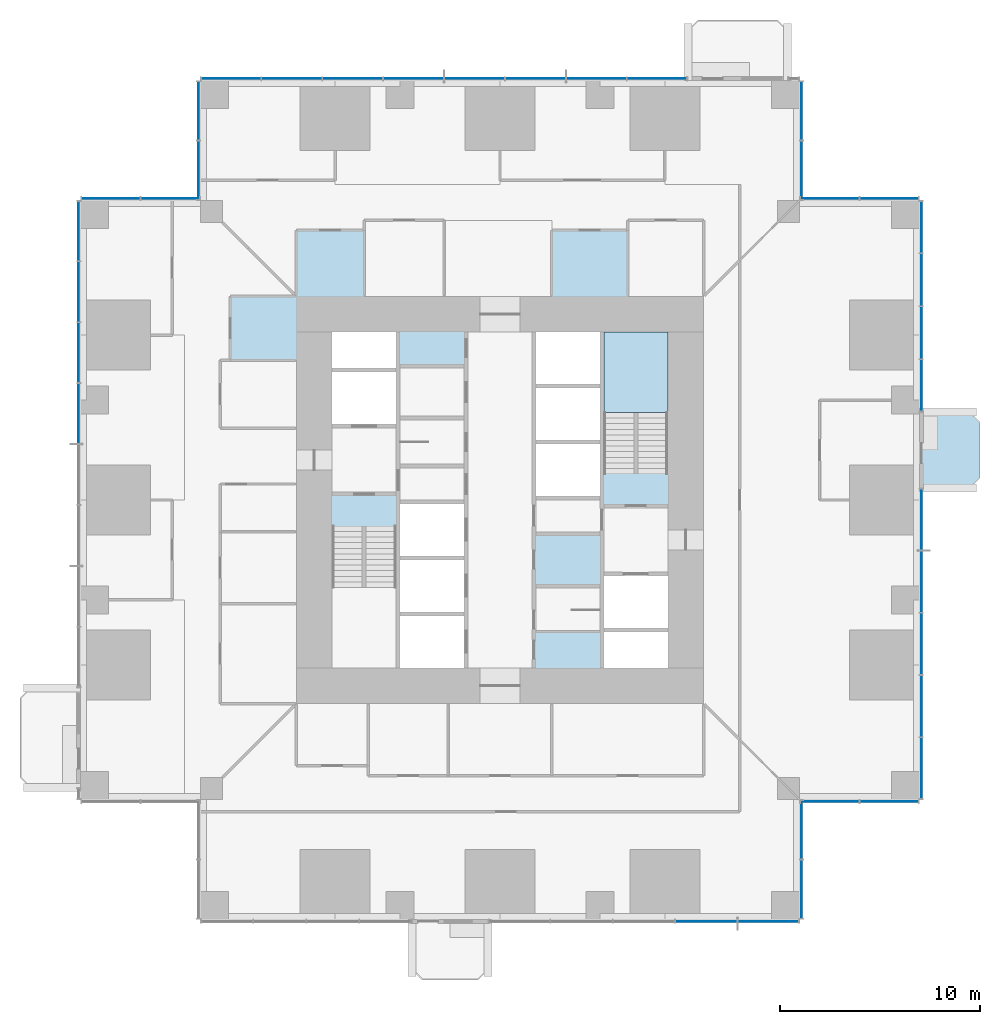
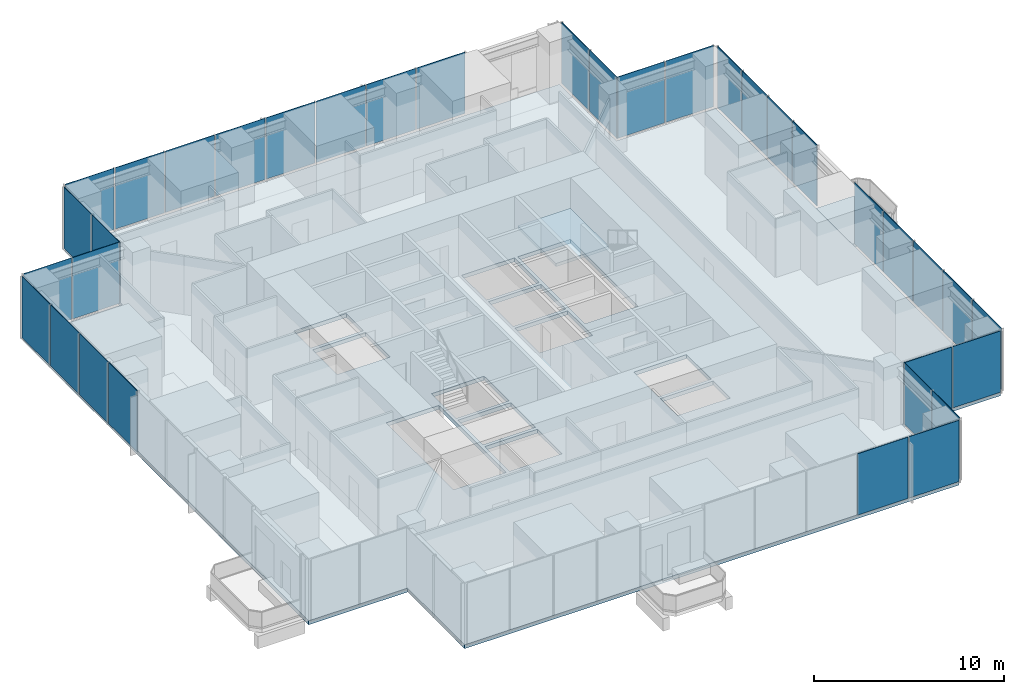
# One storey, part 9 of 17: 35 plates, 3 slabs, 12 elements without a shape of their own.
"""IFC4 building model written with IfcOpenShell, lengths in metres."""

from ifc_helpers import new_model, si_unit, direction, frame, origin, origin_2d, place, context, subcontext, project, spatial, polyline, rectangle, outline, extrude, material, layer, layer_set, type_object, element, aggregate, save


model = new_model("IFC4")

# Units and contexts
model_context = context("Model", 3, precision=1e-05, world=origin(), true_north=direction((0.0, 1.0)))
body_context = subcontext(model_context, "Body", "Model", "MODEL_VIEW")
ifc_project = project(units=[si_unit("LENGTHUNIT", "METRE"), si_unit("AREAUNIT", "SQUARE_METRE"), si_unit("VOLUMEUNIT", "CUBIC_METRE"), si_unit("PLANEANGLEUNIT", "RADIAN"), si_unit("MASSUNIT", "GRAM", prefix="KILO")], contexts=[model_context])

# Site, building, storey
site_placement = place(None, origin())
site = spatial("IfcSite", under=ifc_project, at=site_placement, CompositionType="ELEMENT")
building_placement = place(site_placement, origin())
building = spatial("IfcBuilding", under=site, at=building_placement, Name="Svetlomir Tower", CompositionType="ELEMENT")
storey_placement = place(building_placement, frame((0.0, 0.0, 38.5)))
storey = spatial("IfcBuildingStorey", under=building, at=storey_placement, Name="L08", CompositionType="ELEMENT", Elevation=38.5)

# Slab
ifc_material_1 = material(Name="Concrete C60/75", Category="concrete")
ifc_layer_1 = layer(ifc_material_1, 0.25)
ifc_layer_set_1 = layer_set([ifc_layer_1], Name="Concrete C60/75")
slab_type_1 = type_object("IfcSlabType", Name="BALCONY SLAB 250", PredefinedType="FLOOR", material=ifc_layer_set_1)
slab_1_placement = place(storey_placement, frame((0.0, 0.0, -0.25)))
element("IfcSlab", 1, at=slab_1_placement, inside=storey, type_object=slab_type_1, Name="L08 E planted balcony", PredefinedType="FLOOR", context=body_context, shape_type="SweptSolid", body=[
    extrude(outline(polyline([(42.0, 21.60009765625), (44.5, 21.60009765625), (45.0, 22.10009765625), (45.0, 24.89990234375), (44.5, 25.39990234375), (42.0, 25.39990234375), (42.0, 21.60009765625)])), origin(), (0.0, 0.0, 1.0), 0.25),
])

# Curtain wall, plates
ifc_material_2 = material(Name="Bronze anodised aluminium curtain wall", Category="aluminium")
curtain_wall_type = type_object("IfcCurtainWallType", Name="CURTAIN WALL CW1 TOWER OFFICE", PredefinedType="NOTDEFINED", material=ifc_material_2)
curtain_wall_1_placement = place(storey_placement, origin())
curtain_wall_1 = element("IfcCurtainWall", 2, at=curtain_wall_1_placement, inside=storey, type_object=curtain_wall_type, Name="Curtain wall CW1 L08", PredefinedType="NOTDEFINED")
ifc_material_3 = material(Name="Tinted double glazed unit", Category="glass")
ifc_layer_2 = layer(ifc_material_3, 0.031982421875)
ifc_layer_set_2 = layer_set([ifc_layer_2], Name="Tinted double glazed unit")
plate_type = type_object("IfcPlateType", Name="CW1 GLAZED PANEL 32", PredefinedType="CURTAIN_PANEL", material=ifc_layer_set_2)
plate_1_placement = place(storey_placement, frame((31.320068359375, -0.10009765625, 0.06494140625), z_axis=(0.0, 0.0, 1.0), x_axis=(1.0, 0.0, 0.0)))
plate_1 = element("IfcPlate", 3, at=plate_1_placement, type_object=plate_type, Name="CW1 panel 4.1", PredefinedType="CURTAIN_PANEL", context=body_context, shape_type="SweptSolid", body=[
    extrude(rectangle(XDim=3.054931640625, YDim=0.031982421875, at=origin_2d()), origin(), (0.0, 0.0, 1.0), 3.93505859375),
])
plate_2_placement = place(storey_placement, frame((34.423828125, -0.10009765625, 0.06494140625), z_axis=(0.0, 0.0, 1.0), x_axis=(1.0, 0.0, 0.0)))
plate_2 = element("IfcPlate", 4, at=plate_2_placement, type_object=plate_type, Name="CW1 panel 5.1", PredefinedType="CURTAIN_PANEL", context=body_context, shape_type="SweptSolid", body=[
    extrude(rectangle(XDim=3.0224609375, YDim=0.031982421875, at=origin_2d()), origin(), (0.0, 0.0, 1.0), 3.93505859375),
])
aggregate(curtain_wall_1, [plate_1, plate_2])

curtain_wall_2_placement = place(storey_placement, origin())
curtain_wall_2 = element("IfcCurtainWall", 5, at=curtain_wall_2_placement, inside=storey, type_object=curtain_wall_type, Name="Curtain wall CW1 L08", PredefinedType="NOTDEFINED")
plate_3_placement = place(storey_placement, frame((36.10009765625, 1.516357421875, 0.06494140625), z_axis=(0.0, 0.0, 1.0), x_axis=(0.0, 1.0, 0.0)))
plate_3 = element("IfcPlate", 6, at=plate_3_placement, type_object=plate_type, Name="CW1 panel 1.1", PredefinedType="CURTAIN_PANEL", context=body_context, shape_type="SweptSolid", body=[
    extrude(rectangle(XDim=2.902587890625, YDim=0.031982421875, at=origin_2d()), origin(), (0.0, 0.0, 1.0), 3.93505859375),
])
plate_4_placement = place(storey_placement, frame((36.10009765625, 4.483642578125, 0.06494140625), z_axis=(0.0, 0.0, 1.0), x_axis=(0.0, 1.0, 0.0)))
plate_4 = element("IfcPlate", 7, at=plate_4_placement, type_object=plate_type, Name="CW1 panel 2.1", PredefinedType="CURTAIN_PANEL", context=body_context, shape_type="SweptSolid", body=[
    extrude(rectangle(XDim=2.902587890625, YDim=0.031982421875, at=origin_2d()), origin(), (0.0, 0.0, 1.0), 3.93505859375),
])
aggregate(curtain_wall_2, [plate_3, plate_4])

curtain_wall_3_placement = place(storey_placement, origin())
curtain_wall_3 = element("IfcCurtainWall", 8, at=curtain_wall_3_placement, inside=storey, type_object=curtain_wall_type, Name="Curtain wall CW1 L08", PredefinedType="NOTDEFINED")
plate_5_placement = place(storey_placement, frame((37.516357421875, 5.89990234375, 0.06494140625), z_axis=(0.0, 0.0, 1.0), x_axis=(1.0, 0.0, 0.0)))
plate_5 = element("IfcPlate", 9, at=plate_5_placement, type_object=plate_type, Name="CW1 panel 1.1", PredefinedType="CURTAIN_PANEL", context=body_context, shape_type="SweptSolid", body=[
    extrude(rectangle(XDim=2.902587890625, YDim=0.031982421875, at=origin_2d()), origin(), (0.0, 0.0, 1.0), 3.93505859375),
])
plate_6_placement = place(storey_placement, frame((40.483642578125, 5.89990234375, 0.06494140625), z_axis=(0.0, 0.0, 1.0), x_axis=(1.0, 0.0, 0.0)))
plate_6 = element("IfcPlate", 10, at=plate_6_placement, type_object=plate_type, Name="CW1 panel 2.1", PredefinedType="CURTAIN_PANEL", context=body_context, shape_type="SweptSolid", body=[
    extrude(rectangle(XDim=2.902587890625, YDim=0.031982421875, at=origin_2d()), origin(), (0.0, 0.0, 1.0), 3.93505859375),
])
aggregate(curtain_wall_3, [plate_5, plate_6])

curtain_wall_4_placement = place(storey_placement, origin())
curtain_wall_4 = element("IfcCurtainWall", 11, at=curtain_wall_4_placement, inside=storey, type_object=curtain_wall_type, Name="Curtain wall CW1 L08", PredefinedType="NOTDEFINED")
plate_7_placement = place(storey_placement, frame((42.10009765625, 7.576171875, 0.06494140625), z_axis=(0.0, 0.0, 1.0), x_axis=(0.0, 1.0, 0.0)))
plate_7 = element("IfcPlate", 12, at=plate_7_placement, type_object=plate_type, Name="CW1 panel 1.1", PredefinedType="CURTAIN_PANEL", context=body_context, shape_type="SweptSolid", body=[
    extrude(rectangle(XDim=3.0224609375, YDim=0.031982421875, at=origin_2d()), origin(), (0.0, 0.0, 1.0), 3.93505859375),
])
plate_8_placement = place(storey_placement, frame((42.10009765625, 10.679931640625, 0.06494140625), z_axis=(0.0, 0.0, 1.0), x_axis=(0.0, 1.0, 0.0)))
plate_8 = element("IfcPlate", 13, at=plate_8_placement, type_object=plate_type, Name="CW1 panel 2.1", PredefinedType="CURTAIN_PANEL", context=body_context, shape_type="SweptSolid", body=[
    extrude(rectangle(XDim=3.054931640625, YDim=0.031982421875, at=origin_2d()), origin(), (0.0, 0.0, 1.0), 3.93505859375),
])
plate_9_placement = place(storey_placement, frame((42.10009765625, 13.800048828125, 0.06494140625), z_axis=(0.0, 0.0, 1.0), x_axis=(0.0, 1.0, 0.0)))
plate_9 = element("IfcPlate", 14, at=plate_9_placement, type_object=plate_type, Name="CW1 panel 3.1", PredefinedType="CURTAIN_PANEL", context=body_context, shape_type="SweptSolid", body=[
    extrude(rectangle(XDim=3.054931640625, YDim=0.031982421875, at=origin_2d()), origin(), (0.0, 0.0, 1.0), 3.93505859375),
])
plate_10_placement = place(storey_placement, frame((42.10009765625, 16.919921875, 0.06494140625), z_axis=(0.0, 0.0, 1.0), x_axis=(0.0, 1.0, 0.0)))
plate_10 = element("IfcPlate", 15, at=plate_10_placement, type_object=plate_type, Name="CW1 panel 4.1", PredefinedType="CURTAIN_PANEL", context=body_context, shape_type="SweptSolid", body=[
    extrude(rectangle(XDim=3.054931640625, YDim=0.031982421875, at=origin_2d()), origin(), (0.0, 0.0, 1.0), 3.93505859375),
])
plate_11_placement = place(storey_placement, frame((42.10009765625, 20.023681640625, 0.06494140625), z_axis=(0.0, 0.0, 1.0), x_axis=(0.0, 1.0, 0.0)))
plate_11 = element("IfcPlate", 16, at=plate_11_placement, type_object=plate_type, Name="CW1 panel 5.1", PredefinedType="CURTAIN_PANEL", context=body_context, shape_type="SweptSolid", body=[
    extrude(rectangle(XDim=3.0224609375, YDim=0.031982421875, at=origin_2d()), origin(), (0.0, 0.0, 1.0), 3.93505859375),
])
aggregate(curtain_wall_4, [plate_7, plate_8, plate_9, plate_10, plate_11])

curtain_wall_5_placement = place(storey_placement, origin())
curtain_wall_5 = element("IfcCurtainWall", 17, at=curtain_wall_5_placement, inside=storey, type_object=curtain_wall_type, Name="Curtain wall CW1 L08", PredefinedType="NOTDEFINED")
plate_12_placement = place(storey_placement, frame((42.10009765625, 26.7412109375, 0.06494140625), z_axis=(0.0, 0.0, 1.0), x_axis=(0.0, 1.0, 0.0)))
plate_12 = element("IfcPlate", 18, at=plate_12_placement, type_object=plate_type, Name="CW1 panel 1.1", PredefinedType="CURTAIN_PANEL", context=body_context, shape_type="SweptSolid", body=[
    extrude(rectangle(XDim=2.552490234375, YDim=0.031982421875, at=origin_2d()), origin(), (0.0, 0.0, 1.0), 3.93505859375),
])
plate_13_placement = place(storey_placement, frame((42.10009765625, 29.375, 0.06494140625), z_axis=(0.0, 0.0, 1.0), x_axis=(0.0, 1.0, 0.0)))
plate_13 = element("IfcPlate", 19, at=plate_13_placement, type_object=plate_type, Name="CW1 panel 2.1", PredefinedType="CURTAIN_PANEL", context=body_context, shape_type="SweptSolid", body=[
    extrude(rectangle(XDim=2.5849609375, YDim=0.031982421875, at=origin_2d()), origin(), (0.0, 0.0, 1.0), 3.93505859375),
])
plate_14_placement = place(storey_placement, frame((42.10009765625, 32.02490234375, 0.06494140625), z_axis=(0.0, 0.0, 1.0), x_axis=(0.0, 1.0, 0.0)))
plate_14 = element("IfcPlate", 20, at=plate_14_placement, type_object=plate_type, Name="CW1 panel 3.1", PredefinedType="CURTAIN_PANEL", context=body_context, shape_type="SweptSolid", body=[
    extrude(rectangle(XDim=2.5849609375, YDim=0.031982421875, at=origin_2d()), origin(), (0.0, 0.0, 1.0), 3.93505859375),
])
plate_15_placement = place(storey_placement, frame((42.10009765625, 34.65869140625, 0.06494140625), z_axis=(0.0, 0.0, 1.0), x_axis=(0.0, 1.0, 0.0)))
plate_15 = element("IfcPlate", 21, at=plate_15_placement, type_object=plate_type, Name="CW1 panel 4.1", PredefinedType="CURTAIN_PANEL", context=body_context, shape_type="SweptSolid", body=[
    extrude(rectangle(XDim=2.552490234375, YDim=0.031982421875, at=origin_2d()), origin(), (0.0, 0.0, 1.0), 3.93505859375),
])
aggregate(curtain_wall_5, [plate_12, plate_13, plate_14, plate_15])

curtain_wall_6_placement = place(storey_placement, origin())
curtain_wall_6 = element("IfcCurtainWall", 22, at=curtain_wall_6_placement, inside=storey, type_object=curtain_wall_type, Name="Curtain wall CW1 L08", PredefinedType="NOTDEFINED")
plate_16_placement = place(storey_placement, frame((40.483642578125, 36.10009765625, 0.06494140625), z_axis=(0.0, 0.0, 1.0), x_axis=(-1.0, 0.0, 0.0)))
plate_16 = element("IfcPlate", 23, at=plate_16_placement, type_object=plate_type, Name="CW1 panel 1.1", PredefinedType="CURTAIN_PANEL", context=body_context, shape_type="SweptSolid", body=[
    extrude(rectangle(XDim=2.902587890625, YDim=0.031982421875, at=origin_2d()), origin(), (0.0, 0.0, 1.0), 3.93505859375),
])
plate_17_placement = place(storey_placement, frame((37.516357421875, 36.10009765625, 0.06494140625), z_axis=(0.0, 0.0, 1.0), x_axis=(-1.0, 0.0, 0.0)))
plate_17 = element("IfcPlate", 24, at=plate_17_placement, type_object=plate_type, Name="CW1 panel 2.1", PredefinedType="CURTAIN_PANEL", context=body_context, shape_type="SweptSolid", body=[
    extrude(rectangle(XDim=2.902587890625, YDim=0.031982421875, at=origin_2d()), origin(), (0.0, 0.0, 1.0), 3.93505859375),
])
aggregate(curtain_wall_6, [plate_16, plate_17])

curtain_wall_7_placement = place(storey_placement, origin())
curtain_wall_7 = element("IfcCurtainWall", 25, at=curtain_wall_7_placement, inside=storey, type_object=curtain_wall_type, Name="Curtain wall CW1 L08", PredefinedType="NOTDEFINED")
plate_18_placement = place(storey_placement, frame((36.10009765625, 37.516357421875, 0.06494140625), z_axis=(0.0, 0.0, 1.0), x_axis=(0.0, 1.0, 0.0)))
plate_18 = element("IfcPlate", 26, at=plate_18_placement, type_object=plate_type, Name="CW1 panel 1.1", PredefinedType="CURTAIN_PANEL", context=body_context, shape_type="SweptSolid", body=[
    extrude(rectangle(XDim=2.902587890625, YDim=0.031982421875, at=origin_2d()), origin(), (0.0, 0.0, 1.0), 3.93505859375),
])
plate_19_placement = place(storey_placement, frame((36.10009765625, 40.483642578125, 0.06494140625), z_axis=(0.0, 0.0, 1.0), x_axis=(0.0, 1.0, 0.0)))
plate_19 = element("IfcPlate", 27, at=plate_19_placement, type_object=plate_type, Name="CW1 panel 2.1", PredefinedType="CURTAIN_PANEL", context=body_context, shape_type="SweptSolid", body=[
    extrude(rectangle(XDim=2.902587890625, YDim=0.031982421875, at=origin_2d()), origin(), (0.0, 0.0, 1.0), 3.93505859375),
])
aggregate(curtain_wall_7, [plate_18, plate_19])

curtain_wall_8_placement = place(storey_placement, origin())
curtain_wall_8 = element("IfcCurtainWall", 28, at=curtain_wall_8_placement, inside=storey, type_object=curtain_wall_type, Name="Curtain wall CW1 L08", PredefinedType="NOTDEFINED")
plate_20_placement = place(storey_placement, frame((28.858642578125, 42.10009765625, 0.06494140625), z_axis=(0.0, 0.0, 1.0), x_axis=(-1.0, 0.0, 0.0)))
plate_20 = element("IfcPlate", 29, at=plate_20_placement, type_object=plate_type, Name="CW1 panel 1.1", PredefinedType="CURTAIN_PANEL", context=body_context, shape_type="SweptSolid", body=[
    extrude(rectangle(XDim=2.952392578125, YDim=0.031982421875, at=origin_2d()), origin(), (0.0, 0.0, 1.0), 3.93505859375),
])
plate_21_placement = place(storey_placement, frame((25.824951171875, 42.10009765625, 0.06494140625), z_axis=(0.0, 0.0, 1.0), x_axis=(-1.0, 0.0, 0.0)))
plate_21 = element("IfcPlate", 30, at=plate_21_placement, type_object=plate_type, Name="CW1 panel 2.1", PredefinedType="CURTAIN_PANEL", context=body_context, shape_type="SweptSolid", body=[
    extrude(rectangle(XDim=2.985107421875, YDim=0.031982421875, at=origin_2d()), origin(), (0.0, 0.0, 1.0), 3.93505859375),
])
plate_22_placement = place(storey_placement, frame((22.77490234375, 42.10009765625, 0.06494140625), z_axis=(0.0, 0.0, 1.0), x_axis=(-1.0, 0.0, 0.0)))
plate_22 = element("IfcPlate", 31, at=plate_22_placement, type_object=plate_type, Name="CW1 panel 3.1", PredefinedType="CURTAIN_PANEL", context=body_context, shape_type="SweptSolid", body=[
    extrude(rectangle(XDim=2.985107421875, YDim=0.031982421875, at=origin_2d()), origin(), (0.0, 0.0, 1.0), 3.93505859375),
])
plate_23_placement = place(storey_placement, frame((19.72509765625, 42.10009765625, 0.06494140625), z_axis=(0.0, 0.0, 1.0), x_axis=(-1.0, 0.0, 0.0)))
plate_23 = element("IfcPlate", 32, at=plate_23_placement, type_object=plate_type, Name="CW1 panel 4.1", PredefinedType="CURTAIN_PANEL", context=body_context, shape_type="SweptSolid", body=[
    extrude(rectangle(XDim=2.985107421875, YDim=0.031982421875, at=origin_2d()), origin(), (0.0, 0.0, 1.0), 3.93505859375),
])
plate_24_placement = place(storey_placement, frame((16.675048828125, 42.10009765625, 0.06494140625), z_axis=(0.0, 0.0, 1.0), x_axis=(-1.0, 0.0, 0.0)))
plate_24 = element("IfcPlate", 33, at=plate_24_placement, type_object=plate_type, Name="CW1 panel 5.1", PredefinedType="CURTAIN_PANEL", context=body_context, shape_type="SweptSolid", body=[
    extrude(rectangle(XDim=2.985107421875, YDim=0.031982421875, at=origin_2d()), origin(), (0.0, 0.0, 1.0), 3.93505859375),
])
plate_25_placement = place(storey_placement, frame((13.625, 42.10009765625, 0.06494140625), z_axis=(0.0, 0.0, 1.0), x_axis=(-1.0, 0.0, 0.0)))
plate_25 = element("IfcPlate", 34, at=plate_25_placement, type_object=plate_type, Name="CW1 panel 6.1", PredefinedType="CURTAIN_PANEL", context=body_context, shape_type="SweptSolid", body=[
    extrude(rectangle(XDim=2.985107421875, YDim=0.031982421875, at=origin_2d()), origin(), (0.0, 0.0, 1.0), 3.93505859375),
])
plate_26_placement = place(storey_placement, frame((10.574951171875, 42.10009765625, 0.06494140625), z_axis=(0.0, 0.0, 1.0), x_axis=(-1.0, 0.0, 0.0)))
plate_26 = element("IfcPlate", 35, at=plate_26_placement, type_object=plate_type, Name="CW1 panel 7.1", PredefinedType="CURTAIN_PANEL", context=body_context, shape_type="SweptSolid", body=[
    extrude(rectangle(XDim=2.985107421875, YDim=0.031982421875, at=origin_2d()), origin(), (0.0, 0.0, 1.0), 3.93505859375),
])
plate_27_placement = place(storey_placement, frame((7.541259765625, 42.10009765625, 0.06494140625), z_axis=(0.0, 0.0, 1.0), x_axis=(-1.0, 0.0, 0.0)))
plate_27 = element("IfcPlate", 36, at=plate_27_placement, type_object=plate_type, Name="CW1 panel 8.1", PredefinedType="CURTAIN_PANEL", context=body_context, shape_type="SweptSolid", body=[
    extrude(rectangle(XDim=2.952392578125, YDim=0.031982421875, at=origin_2d()), origin(), (0.0, 0.0, 1.0), 3.93505859375),
])
aggregate(curtain_wall_8, [plate_20, plate_21, plate_22, plate_23, plate_24, plate_25, plate_26, plate_27])

curtain_wall_9_placement = place(storey_placement, origin())
curtain_wall_9 = element("IfcCurtainWall", 37, at=curtain_wall_9_placement, inside=storey, type_object=curtain_wall_type, Name="Curtain wall CW1 L08", PredefinedType="NOTDEFINED")
plate_28_placement = place(storey_placement, frame((5.89990234375, 40.483642578125, 0.06494140625), z_axis=(0.0, 0.0, 1.0), x_axis=(0.0, -1.0, 0.0)))
plate_28 = element("IfcPlate", 38, at=plate_28_placement, type_object=plate_type, Name="CW1 panel 1.1", PredefinedType="CURTAIN_PANEL", context=body_context, shape_type="SweptSolid", body=[
    extrude(rectangle(XDim=2.902587890625, YDim=0.031982421875, at=origin_2d()), origin(), (0.0, 0.0, 1.0), 3.93505859375),
])
plate_29_placement = place(storey_placement, frame((5.89990234375, 37.516357421875, 0.06494140625), z_axis=(0.0, 0.0, 1.0), x_axis=(0.0, -1.0, 0.0)))
plate_29 = element("IfcPlate", 39, at=plate_29_placement, type_object=plate_type, Name="CW1 panel 2.1", PredefinedType="CURTAIN_PANEL", context=body_context, shape_type="SweptSolid", body=[
    extrude(rectangle(XDim=2.902587890625, YDim=0.031982421875, at=origin_2d()), origin(), (0.0, 0.0, 1.0), 3.93505859375),
])
aggregate(curtain_wall_9, [plate_28, plate_29])

curtain_wall_10_placement = place(storey_placement, origin())
curtain_wall_10 = element("IfcCurtainWall", 40, at=curtain_wall_10_placement, inside=storey, type_object=curtain_wall_type, Name="Curtain wall CW1 L08", PredefinedType="NOTDEFINED")
plate_30_placement = place(storey_placement, frame((4.483642578125, 36.10009765625, 0.06494140625), z_axis=(0.0, 0.0, 1.0), x_axis=(-1.0, 0.0, 0.0)))
plate_30 = element("IfcPlate", 41, at=plate_30_placement, type_object=plate_type, Name="CW1 panel 1.1", PredefinedType="CURTAIN_PANEL", context=body_context, shape_type="SweptSolid", body=[
    extrude(rectangle(XDim=2.902587890625, YDim=0.031982421875, at=origin_2d()), origin(), (0.0, 0.0, 1.0), 3.93505859375),
])
plate_31_placement = place(storey_placement, frame((1.516357421875, 36.10009765625, 0.06494140625), z_axis=(0.0, 0.0, 1.0), x_axis=(-1.0, 0.0, 0.0)))
plate_31 = element("IfcPlate", 42, at=plate_31_placement, type_object=plate_type, Name="CW1 panel 2.1", PredefinedType="CURTAIN_PANEL", context=body_context, shape_type="SweptSolid", body=[
    extrude(rectangle(XDim=2.902587890625, YDim=0.031982421875, at=origin_2d()), origin(), (0.0, 0.0, 1.0), 3.93505859375),
])
aggregate(curtain_wall_10, [plate_30, plate_31])

curtain_wall_11_placement = place(storey_placement, origin())
curtain_wall_11 = element("IfcCurtainWall", 43, at=curtain_wall_11_placement, inside=storey, type_object=curtain_wall_type, Name="Curtain wall CW1 L08", PredefinedType="NOTDEFINED")
plate_32_placement = place(storey_placement, frame((-0.10009765625, 34.458740234375, 0.06494140625), z_axis=(0.0, 0.0, 1.0), x_axis=(0.0, -1.0, 0.0)))
plate_32 = element("IfcPlate", 44, at=plate_32_placement, type_object=plate_type, Name="CW1 panel 1.1", PredefinedType="CURTAIN_PANEL", context=body_context, shape_type="SweptSolid", body=[
    extrude(rectangle(XDim=2.952392578125, YDim=0.031982421875, at=origin_2d()), origin(), (0.0, 0.0, 1.0), 3.93505859375),
])
plate_33_placement = place(storey_placement, frame((-0.10009765625, 31.425048828125, 0.06494140625), z_axis=(0.0, 0.0, 1.0), x_axis=(0.0, -1.0, 0.0)))
plate_33 = element("IfcPlate", 45, at=plate_33_placement, type_object=plate_type, Name="CW1 panel 2.1", PredefinedType="CURTAIN_PANEL", context=body_context, shape_type="SweptSolid", body=[
    extrude(rectangle(XDim=2.985107421875, YDim=0.031982421875, at=origin_2d()), origin(), (0.0, 0.0, 1.0), 3.93505859375),
])
plate_34_placement = place(storey_placement, frame((-0.10009765625, 28.375, 0.06494140625), z_axis=(0.0, 0.0, 1.0), x_axis=(0.0, -1.0, 0.0)))
plate_34 = element("IfcPlate", 46, at=plate_34_placement, type_object=plate_type, Name="CW1 panel 3.1", PredefinedType="CURTAIN_PANEL", context=body_context, shape_type="SweptSolid", body=[
    extrude(rectangle(XDim=2.985107421875, YDim=0.031982421875, at=origin_2d()), origin(), (0.0, 0.0, 1.0), 3.93505859375),
])
plate_35_placement = place(storey_placement, frame((-0.10009765625, 25.324951171875, 0.06494140625), z_axis=(0.0, 0.0, 1.0), x_axis=(0.0, -1.0, 0.0)))
plate_35 = element("IfcPlate", 47, at=plate_35_placement, type_object=plate_type, Name="CW1 panel 4.1", PredefinedType="CURTAIN_PANEL", context=body_context, shape_type="SweptSolid", body=[
    extrude(rectangle(XDim=2.985107421875, YDim=0.031982421875, at=origin_2d()), origin(), (0.0, 0.0, 1.0), 3.93505859375),
])
aggregate(curtain_wall_11, [plate_32, plate_33, plate_34, plate_35])

# Slab
ifc_material_4 = material(Name="Concrete C60/75", Category="concrete")
ifc_layer_3 = layer(ifc_material_4, 0.25)
ifc_layer_set_3 = layer_set([ifc_layer_3], Name="Concrete C60/75")
slab_type_2 = type_object("IfcSlabType", Name="FLOOR SLAB 250", PredefinedType="FLOOR", material=ifc_layer_set_3)
slab_2_placement = place(storey_placement, frame((0.0, 0.0, -0.25)))
element("IfcSlab", 48, at=slab_2_placement, inside=storey, type_object=slab_type_2, Name="L08 floor slab", PredefinedType="FLOOR", context=body_context, shape_type="SweptSolid", body=[
    extrude(outline(polyline([(6.0, 0.0), (36.0, 0.0), (36.0, 6.0), (42.0, 6.0), (42.0, 36.0), (36.0, 36.0), (36.0, 42.0), (6.0, 42.0), (6.0, 36.0), (0.0, 36.0), (0.0, 6.0), (6.0, 6.0), (6.0, 0.0)]), holes=[polyline([(12.60009765625, 24.800048828125), (15.800048828125, 24.800048828125), (15.800048828125, 27.39990234375), (12.60009765625, 27.39990234375), (12.60009765625, 24.800048828125)]), polyline([(26.199951171875, 14.60009765625), (29.39990234375, 14.60009765625), (29.39990234375, 17.199951171875), (26.199951171875, 17.199951171875), (26.199951171875, 14.60009765625)]), polyline([(16.0, 12.60009765625), (19.199951171875, 12.60009765625), (19.199951171875, 15.199951171875), (16.0, 15.199951171875), (16.0, 12.60009765625)]), polyline([(16.0, 15.39990234375), (19.199951171875, 15.39990234375), (19.199951171875, 18.0), (16.0, 18.0), (16.0, 15.39990234375)]), polyline([(16.0, 18.199951171875), (19.199951171875, 18.199951171875), (19.199951171875, 20.800048828125), (16.0, 20.800048828125), (16.0, 18.199951171875)]), polyline([(22.800048828125, 21.199951171875), (26.0, 21.199951171875), (26.0, 23.800048828125), (22.800048828125, 23.800048828125), (22.800048828125, 21.199951171875)]), polyline([(22.800048828125, 24.0), (26.0, 24.0), (26.0, 26.60009765625), (22.800048828125, 26.60009765625), (22.800048828125, 24.0)]), polyline([(22.800048828125, 26.800048828125), (26.0, 26.800048828125), (26.0, 29.39990234375), (22.800048828125, 29.39990234375), (22.800048828125, 26.800048828125)]), polyline([(12.60009765625, 27.60009765625), (15.800048828125, 27.60009765625), (15.800048828125, 29.39990234375), (12.60009765625, 29.39990234375), (12.60009765625, 27.60009765625)]), polyline([(26.199951171875, 12.60009765625), (29.39990234375, 12.60009765625), (29.39990234375, 14.39990234375), (26.199951171875, 14.39990234375), (26.199951171875, 12.60009765625)]), polyline([(12.60009765625, 12.60009765625), (15.800048828125, 12.60009765625), (15.800048828125, 19.679931640625), (12.60009765625, 19.679931640625), (12.60009765625, 12.60009765625)]), polyline([(26.199951171875, 22.320068359375), (29.39990234375, 22.320068359375), (29.39990234375, 29.39990234375), (26.199951171875, 29.39990234375), (26.199951171875, 22.320068359375)])]), origin(), (0.0, 0.0, 1.0), 0.25),
])

# Stair, slab
ifc_material_5 = material(Name="Concrete C60/75", Category="concrete")
stair_type = type_object("IfcStairType", Name="EXIT STAIR 3200 RISE 4000", PredefinedType="HALF_TURN_STAIR", material=ifc_material_5)
stair_placement = place(storey_placement, origin())
stair = element("IfcStair", 49, at=stair_placement, inside=storey, type_object=stair_type, Name="Stair S2 L08 to L09", PredefinedType="HALF_TURN_STAIR")
ifc_material_6 = material(Name="Concrete C60/75", Category="concrete")
ifc_layer_4 = layer(ifc_material_6, 0.199951171875)
ifc_layer_set_4 = layer_set([ifc_layer_4], Name="Concrete C60/75")
slab_type_3 = type_object("IfcSlabType", Name="STAIR LANDING 200", PredefinedType="LANDING", material=ifc_layer_set_4)
slab_3_placement = place(storey_placement, frame((0.0, 0.0, 1.800048828125)))
slab_3 = element("IfcSlab", 50, at=slab_3_placement, type_object=slab_type_3, Name="S2 landing 1", PredefinedType="LANDING", context=body_context, shape_type="SweptSolid", body=[
    extrude(outline(polyline([(26.199951171875, 25.3798828125), (29.39990234375, 25.3798828125), (29.39990234375, 29.39990234375), (26.199951171875, 29.39990234375), (26.199951171875, 25.3798828125)])), origin(), (0.0, 0.0, 1.0), 0.199951171875),
])
aggregate(stair, [slab_3])

save(model, "model.ifc")
